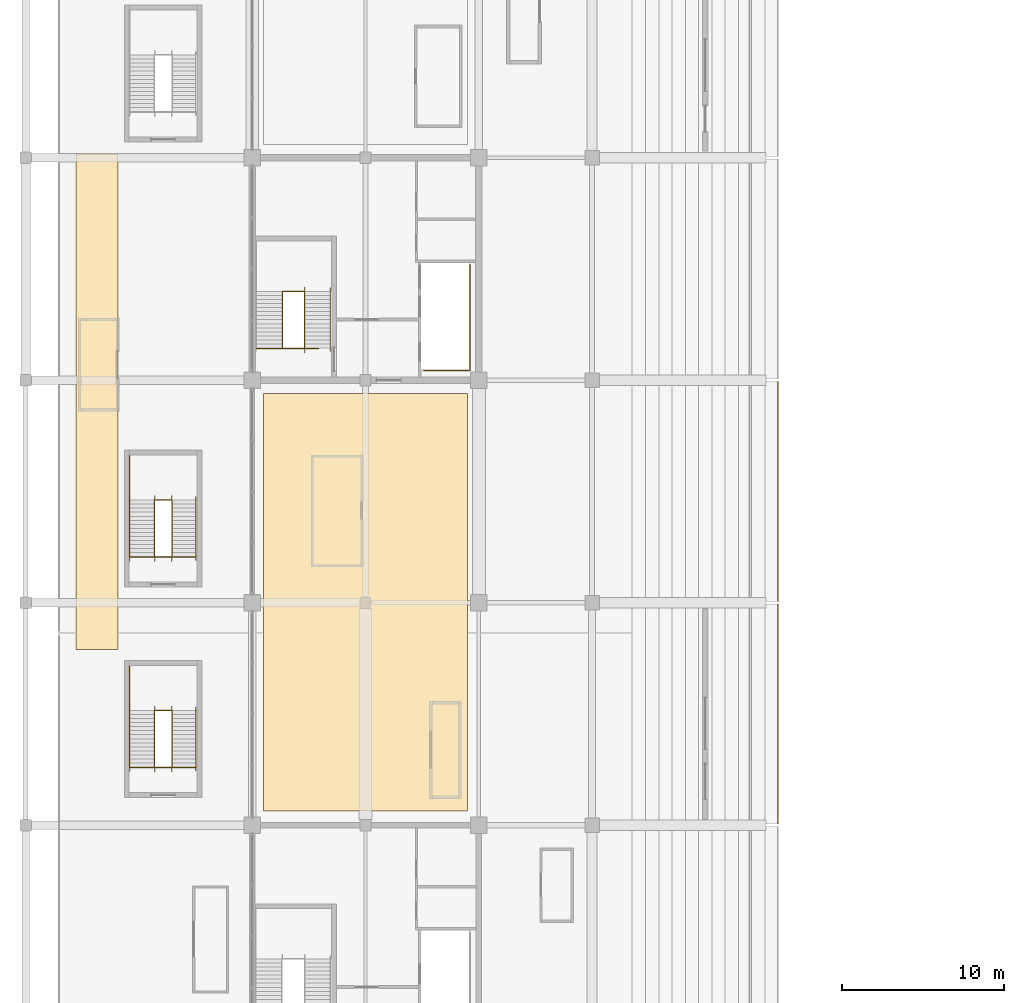
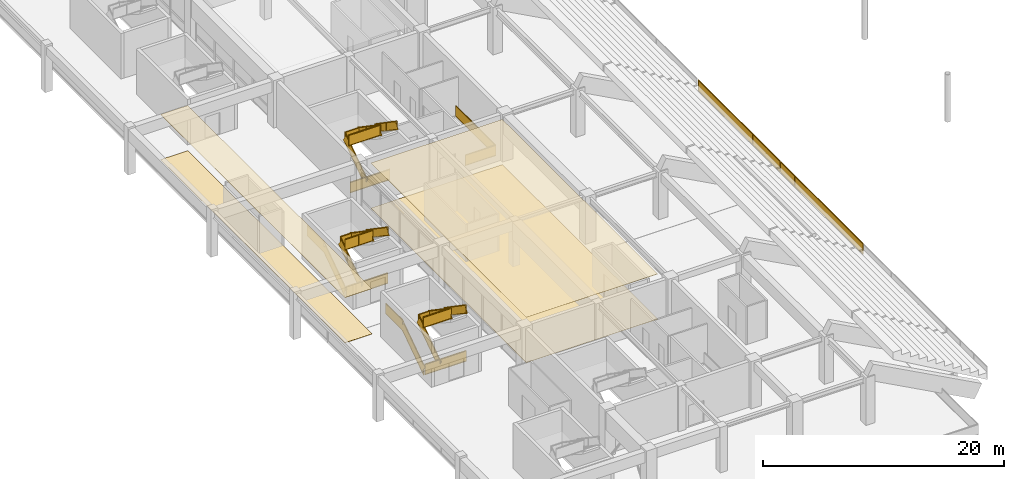
# One storey, part 83 of 94: 14 railings, 4 coverings.
"""IFC4 building model written with IfcOpenShell, lengths in metres."""

from ifc_helpers import new_model, si_unit, direction, frame, origin, origin_2d, place, context, subcontext, project, spatial, polyline, rectangle, outline, extrude, material, layer, layer_set, type_object, element, save


model = new_model("IFC4")

# Units and contexts
model_context = context("Model", 3, precision=1e-05, world=origin(), true_north=direction((0.0, 1.0)))
body_context = subcontext(model_context, "Body", "Model", "MODEL_VIEW")
ifc_project = project(units=[si_unit("LENGTHUNIT", "METRE"), si_unit("AREAUNIT", "SQUARE_METRE"), si_unit("VOLUMEUNIT", "CUBIC_METRE"), si_unit("PLANEANGLEUNIT", "RADIAN"), si_unit("MASSUNIT", "GRAM", prefix="KILO")], contexts=[model_context])

# Site, building, storey
site_placement = place(None, origin())
site = spatial("IfcSite", under=ifc_project, at=site_placement, CompositionType="ELEMENT")
building_placement = place(site_placement, origin())
building = spatial("IfcBuilding", under=site, at=building_placement, Name="Linyun Crest Stadium", CompositionType="ELEMENT")
storey_placement = place(building_placement, frame((0.0, 0.0, 16.199951171875)))
storey = spatial("IfcBuildingStorey", under=building, at=storey_placement, Name="L04", CompositionType="ELEMENT", Elevation=16.199951171875)

# Coverings
ifc_material_1 = material(Name="Perforated acoustic mineral-fibre ceiling")
ifc_layer_1 = layer(ifc_material_1, 0.02490234375)
ifc_layer_set_1 = layer_set([ifc_layer_1], Name="Perforated acoustic mineral-fibre ceiling")
covering_type_1 = type_object("IfcCoveringType", Name="CLG01", PredefinedType="CEILING", material=ifc_layer_set_1)
covering_1_placement = place(storey_placement, frame((0.0, 0.0, 4.574951171875)))
element("IfcCovering", 1, at=covering_1_placement, inside=storey, type_object=covering_type_1, Name="Suspended acoustic ceiling CLG01 40", PredefinedType="CEILING", context=body_context, shape_type="SweptSolid", body=[
    extrude(outline(polyline([(-83.300048828125, -24.5), (-70.699951171875, -24.5), (-70.699951171875, 1.300048828125), (-83.300048828125, 1.300048828125), (-83.300048828125, -24.5)])), origin(), (0.0, 0.0, 1.0), 0.025146484375),
])
ifc_material_2 = material(Name="Anodized aluminium baffle acoustic ceiling", Category="aluminium")
ifc_layer_2 = layer(ifc_material_2, 0.030029296875)
ifc_layer_set_2 = layer_set([ifc_layer_2], Name="Anodized aluminium baffle acoustic ceiling")
covering_type_2 = type_object("IfcCoveringType", Name="CLG02", PredefinedType="CEILING", material=ifc_layer_set_2)
covering_2_placement = place(storey_placement, frame((0.0, 0.0, 4.570068359375)))
element("IfcCovering", 2, at=covering_2_placement, inside=storey, type_object=covering_type_2, Name="Suspended acoustic ceiling CLG02 38", PredefinedType="CEILING", context=body_context, shape_type="SweptSolid", body=[
    extrude(outline(polyline([(-94.89990234375, -14.5), (-92.300048828125, -14.5), (-92.300048828125, 16.10009765625), (-94.89990234375, 16.10009765625), (-94.89990234375, -14.5)])), origin(), (0.0, 0.0, 1.0), 0.030029296875),
])
ifc_material_3 = material(Name="Terrazzo concourse and hospitality floor finish")
ifc_layer_3 = layer(ifc_material_3, 0.02197265625)
ifc_layer_set_3 = layer_set([ifc_layer_3], Name="Terrazzo concourse and hospitality floor finish")
covering_type_3 = type_object("IfcCoveringType", Name="FLR02", PredefinedType="FLOORING", material=ifc_layer_set_3)
covering_3_placement = place(storey_placement, origin())
element("IfcCovering", 3, at=covering_3_placement, inside=storey, type_object=covering_type_3, Name="Terrazzo flooring FLR02 37", PredefinedType="FLOORING", context=body_context, shape_type="SweptSolid", body=[
    extrude(outline(polyline([(-94.89990234375, -14.5), (-92.300048828125, -14.5), (-92.300048828125, 16.10009765625), (-94.89990234375, 16.10009765625), (-94.89990234375, -14.5)])), origin(), (0.0, 0.0, 1.0), 0.02197265625),
])
covering_4_placement = place(storey_placement, origin())
element("IfcCovering", 4, at=covering_4_placement, inside=storey, type_object=covering_type_3, Name="Terrazzo flooring FLR02 39", PredefinedType="FLOORING", context=body_context, shape_type="SweptSolid", body=[
    extrude(outline(polyline([(-83.300048828125, -24.5), (-70.699951171875, -24.5), (-70.699951171875, 1.300048828125), (-83.300048828125, 1.300048828125), (-83.300048828125, -24.5)])), origin(), (0.0, 0.0, 1.0), 0.02197265625),
])

# Railings
ifc_material_4 = material(Name="Galvanized and powder-coated steel bowl safety barrier", Category="steel")
railing_type_1 = type_object("IfcRailingType", Name="GR02", PredefinedType="GUARDRAIL", material=ifc_material_4)
for number, where, name in (
    (5, (-51.5, -25.294921875, 0.35009765625), "Bowl front safety guard GR02 19"),
    (6, (-51.5, -11.544921875, 0.35009765625), "Bowl front safety guard GR02 27"),
):
    element("IfcRailing", number, at=place(storey_placement, frame(where)), inside=storey, type_object=railing_type_1, Name=name, PredefinedType="GUARDRAIL", context=body_context, shape_type="SweptSolid", body=[
        extrude(rectangle(XDim=0.06005859375, YDim=0.06005859375, at=origin_2d()), frame((0.0, 0.0, 1.090087890625), z_axis=(0.0, 1.0, 0.0), x_axis=(-1.0, 0.0, 0.0)), (0.0, 0.0, 1.0), 13.58984375),
        extrude(rectangle(XDim=0.030029296875, YDim=1.0, at=origin_2d()), frame((0.0, 0.0, 0.56005859375), z_axis=(0.0, 1.0, 0.0), x_axis=(-1.0, 0.0, 0.0)), (0.0, 0.0, 1.0), 13.58984375),
        extrude(rectangle(XDim=0.06005859375, YDim=0.06005859375, at=origin_2d()), frame((0.0, 0.0, 0.030029296875), z_axis=(0.0, 1.0, 0.0), x_axis=(-1.0, 0.0, 0.0)), (0.0, 0.0, 1.0), 13.58984375),
        extrude(rectangle(XDim=0.050048828125, YDim=0.050048828125, at=origin_2d()), origin(), (0.0, 0.0, 1.0), 1.1201171875),
        extrude(rectangle(XDim=0.050048828125, YDim=0.050048828125, at=origin_2d()), frame((0.0, 2.264892578125, 0.0)), (0.0, 0.0, 1.0), 1.1201171875),
        extrude(rectangle(XDim=0.050048828125, YDim=0.050048828125, at=origin_2d()), frame((0.0, 4.530029296875, 0.0)), (0.0, 0.0, 1.0), 1.1201171875),
        extrude(rectangle(XDim=0.050048828125, YDim=0.050048828125, at=origin_2d()), frame((0.0, 6.794921875, 0.0)), (0.0, 0.0, 1.0), 1.1201171875),
        extrude(rectangle(XDim=0.050048828125, YDim=0.050048828125, at=origin_2d()), frame((0.0, 9.059814453125, 0.0)), (0.0, 0.0, 1.0), 1.1201171875),
        extrude(rectangle(XDim=0.050048828125, YDim=0.050048828125, at=origin_2d()), frame((0.0, 11.324951171875, 0.0)), (0.0, 0.0, 1.0), 1.1201171875),
        extrude(rectangle(XDim=0.050048828125, YDim=0.050048828125, at=origin_2d()), frame((0.0, 13.58984375, 0.0)), (0.0, 0.0, 1.0), 1.1201171875),
    ])
railing_1_placement = place(storey_placement, frame((-91.4599609375, -21.81005859375, 0.0)))
element("IfcRailing", 7, at=railing_1_placement, inside=storey, type_object=railing_type_1, Name="Slab edge balustrade GR02 57", PredefinedType="GUARDRAIL", context=body_context, shape_type="SweptSolid", body=[
    extrude(rectangle(XDim=0.06005859375, YDim=0.06005859375, at=origin_2d()), frame((0.0, 0.0, 1.090087890625), z_axis=(1.0, 0.0, 0.0), x_axis=(0.0, 1.0, 0.0)), (0.0, 0.0, 1.0), 3.919921875),
    extrude(rectangle(XDim=0.030029296875, YDim=1.0, at=origin_2d()), frame((0.0, 0.0, 0.56005859375), z_axis=(1.0, 0.0, 0.0), x_axis=(0.0, 1.0, 0.0)), (0.0, 0.0, 1.0), 3.919921875),
    extrude(rectangle(XDim=0.06005859375, YDim=0.06005859375, at=origin_2d()), frame((0.0, 0.0, 0.030029296875), z_axis=(1.0, 0.0, 0.0), x_axis=(0.0, 1.0, 0.0)), (0.0, 0.0, 1.0), 3.919921875),
    extrude(rectangle(XDim=0.050048828125, YDim=0.050048828125, at=origin_2d()), origin(), (0.0, 0.0, 1.0), 1.1201171875),
    extrude(rectangle(XDim=0.050048828125, YDim=0.050048828125, at=origin_2d()), frame((3.919921875, 0.0, 0.0)), (0.0, 0.0, 1.0), 1.1201171875),
])
railing_2_placement = place(storey_placement, frame((-73.419921875, 2.715087890625, 0.0)))
element("IfcRailing", 8, at=railing_2_placement, inside=storey, type_object=railing_type_1, Name="Slab edge balustrade GR02 59", PredefinedType="GUARDRAIL", context=body_context, shape_type="SweptSolid", body=[
    extrude(rectangle(XDim=0.06005859375, YDim=0.06005859375, at=origin_2d()), frame((0.0, 0.0, 1.090087890625), z_axis=(1.0, 0.0, 0.0), x_axis=(0.0, 1.0, 0.0)), (0.0, 0.0, 1.0), 2.8798828125),
    extrude(rectangle(XDim=0.030029296875, YDim=1.0, at=origin_2d()), frame((0.0, 0.0, 0.56005859375), z_axis=(1.0, 0.0, 0.0), x_axis=(0.0, 1.0, 0.0)), (0.0, 0.0, 1.0), 2.8798828125),
    extrude(rectangle(XDim=0.06005859375, YDim=0.06005859375, at=origin_2d()), frame((0.0, 0.0, 0.030029296875), z_axis=(1.0, 0.0, 0.0), x_axis=(0.0, 1.0, 0.0)), (0.0, 0.0, 1.0), 2.8798828125),
    extrude(rectangle(XDim=0.06005859375, YDim=0.06005859375, at=origin_2d()), frame((2.8798828125, 0.0, 1.090087890625), z_axis=(0.0, 1.0, 0.0), x_axis=(-1.0, 0.0, 0.0)), (0.0, 0.0, 1.0), 6.5498046875),
    extrude(rectangle(XDim=0.030029296875, YDim=1.0, at=origin_2d()), frame((2.8798828125, 0.0, 0.56005859375), z_axis=(0.0, 1.0, 0.0), x_axis=(-1.0, 0.0, 0.0)), (0.0, 0.0, 1.0), 6.5498046875),
    extrude(rectangle(XDim=0.06005859375, YDim=0.06005859375, at=origin_2d()), frame((2.8798828125, 0.0, 0.030029296875), z_axis=(0.0, 1.0, 0.0), x_axis=(-1.0, 0.0, 0.0)), (0.0, 0.0, 1.0), 6.5498046875),
    extrude(rectangle(XDim=0.050048828125, YDim=0.050048828125, at=origin_2d()), origin(), (0.0, 0.0, 1.0), 1.1201171875),
    extrude(rectangle(XDim=0.050048828125, YDim=0.050048828125, at=origin_2d()), frame((2.8798828125, 0.0, 0.0)), (0.0, 0.0, 1.0), 1.1201171875),
    extrude(rectangle(XDim=0.050048828125, YDim=0.050048828125, at=origin_2d()), frame((2.8798828125, 3.27490234375, 0.0)), (0.0, 0.0, 1.0), 1.1201171875),
    extrude(rectangle(XDim=0.050048828125, YDim=0.050048828125, at=origin_2d()), frame((2.8798828125, 6.5498046875, 0.0)), (0.0, 0.0, 1.0), 1.1201171875),
])
railing_3_placement = place(storey_placement, frame((-83.659912109375, 4.0849609375, 0.0)))
element("IfcRailing", 9, at=railing_3_placement, inside=storey, type_object=railing_type_1, Name="Slab edge balustrade GR02 61", PredefinedType="GUARDRAIL", context=body_context, shape_type="SweptSolid", body=[
    extrude(rectangle(XDim=0.06005859375, YDim=0.06005859375, at=origin_2d()), frame((0.0, 0.0, 1.090087890625), z_axis=(1.0, 0.0, 0.0), x_axis=(0.0, 1.0, 0.0)), (0.0, 0.0, 1.0), 3.760009765625),
    extrude(rectangle(XDim=0.030029296875, YDim=1.0, at=origin_2d()), frame((0.0, 0.0, 0.56005859375), z_axis=(1.0, 0.0, 0.0), x_axis=(0.0, 1.0, 0.0)), (0.0, 0.0, 1.0), 3.760009765625),
    extrude(rectangle(XDim=0.06005859375, YDim=0.06005859375, at=origin_2d()), frame((0.0, 0.0, 0.030029296875), z_axis=(1.0, 0.0, 0.0), x_axis=(0.0, 1.0, 0.0)), (0.0, 0.0, 1.0), 3.760009765625),
    extrude(rectangle(XDim=0.050048828125, YDim=0.050048828125, at=origin_2d()), origin(), (0.0, 0.0, 1.0), 1.1201171875),
    extrude(rectangle(XDim=0.050048828125, YDim=0.050048828125, at=origin_2d()), frame((3.760009765625, 0.0, 0.0)), (0.0, 0.0, 1.0), 1.1201171875),
])
railing_4_placement = place(storey_placement, frame((-91.4599609375, -8.81005859375, 0.0)))
element("IfcRailing", 10, at=railing_4_placement, inside=storey, type_object=railing_type_1, Name="Slab edge balustrade GR02 63", PredefinedType="GUARDRAIL", context=body_context, shape_type="SweptSolid", body=[
    extrude(rectangle(XDim=0.06005859375, YDim=0.06005859375, at=origin_2d()), frame((0.0, 0.0, 1.090087890625), z_axis=(1.0, 0.0, 0.0), x_axis=(0.0, 1.0, 0.0)), (0.0, 0.0, 1.0), 3.919921875),
    extrude(rectangle(XDim=0.030029296875, YDim=1.0, at=origin_2d()), frame((0.0, 0.0, 0.56005859375), z_axis=(1.0, 0.0, 0.0), x_axis=(0.0, 1.0, 0.0)), (0.0, 0.0, 1.0), 3.919921875),
    extrude(rectangle(XDim=0.06005859375, YDim=0.06005859375, at=origin_2d()), frame((0.0, 0.0, 0.030029296875), z_axis=(1.0, 0.0, 0.0), x_axis=(0.0, 1.0, 0.0)), (0.0, 0.0, 1.0), 3.919921875),
    extrude(rectangle(XDim=0.050048828125, YDim=0.050048828125, at=origin_2d()), origin(), (0.0, 0.0, 1.0), 1.1201171875),
    extrude(rectangle(XDim=0.050048828125, YDim=0.050048828125, at=origin_2d()), frame((3.919921875, 0.0, 0.0)), (0.0, 0.0, 1.0), 1.1201171875),
])
ifc_material_5 = material(Name="Painted steel stairwell safety guard", Category="steel")
railing_type_2 = type_object("IfcRailingType", Name="GR03", PredefinedType="GUARDRAIL", material=ifc_material_5)
railing_5_placement = place(storey_placement, frame((-82.1298828125, 4.094970703125, 0.0)))
element("IfcRailing", 11, at=railing_5_placement, inside=storey, type_object=railing_type_2, Name="STR-02-L04 inner well guard", PredefinedType="GUARDRAIL", context=body_context, shape_type="SweptSolid", body=[
    extrude(rectangle(XDim=0.06005859375, YDim=0.06005859375, at=origin_2d()), frame((0.0, 0.0, 1.090087890625), z_axis=(0.0, 0.826212794201, 0.563358162005), x_axis=(-1.0, 0.0, 0.0)), (0.0, 0.0, 1.0), 4.260498046875),
    extrude(rectangle(XDim=0.030029296875, YDim=1.0, at=origin_2d()), frame((0.0, 0.0, 0.56005859375), z_axis=(0.0, 0.826212794201, 0.563358162005), x_axis=(-1.0, 0.0, 0.0)), (0.0, 0.0, 1.0), 4.260498046875),
    extrude(rectangle(XDim=0.06005859375, YDim=0.06005859375, at=origin_2d()), frame((0.0, 0.0, 0.030029296875), z_axis=(0.0, 0.826212794201, 0.563358162005), x_axis=(-1.0, 0.0, 0.0)), (0.0, 0.0, 1.0), 4.260498046875),
    extrude(rectangle(XDim=0.06005859375, YDim=0.06005859375, at=origin_2d()), frame((0.0, 3.52001953125, 3.490234375), z_axis=(1.0, 0.0, 0.0), x_axis=(0.0, 1.0, 0.0)), (0.0, 0.0, 1.0), 1.35986328125),
    extrude(rectangle(XDim=0.030029296875, YDim=1.0, at=origin_2d()), frame((0.0, 3.52001953125, 2.960205078125), z_axis=(1.0, 0.0, 0.0), x_axis=(0.0, 1.0, 0.0)), (0.0, 0.0, 1.0), 1.35986328125),
    extrude(rectangle(XDim=0.06005859375, YDim=0.06005859375, at=origin_2d()), frame((0.0, 3.52001953125, 2.43017578125), z_axis=(1.0, 0.0, 0.0), x_axis=(0.0, 1.0, 0.0)), (0.0, 0.0, 1.0), 1.35986328125),
    extrude(rectangle(XDim=0.06005859375, YDim=0.06005859375, at=origin_2d()), frame((1.35986328125, 3.52001953125, 3.490234375), z_axis=(0.0, -0.826239466617, 0.563319042644), x_axis=(1.0, 0.0, 0.0)), (0.0, 0.0, 1.0), 4.26025390625),
    extrude(rectangle(XDim=0.030029296875, YDim=1.0, at=origin_2d()), frame((1.35986328125, 3.52001953125, 2.960205078125), z_axis=(0.0, -0.826239466617, 0.563319042644), x_axis=(1.0, 0.0, 0.0)), (0.0, 0.0, 1.0), 4.26025390625),
    extrude(rectangle(XDim=0.06005859375, YDim=0.06005859375, at=origin_2d()), frame((1.35986328125, 3.52001953125, 2.43017578125), z_axis=(0.0, -0.826239466617, 0.563319042644), x_axis=(1.0, 0.0, 0.0)), (0.0, 0.0, 1.0), 4.26025390625),
    extrude(rectangle(XDim=0.06005859375, YDim=0.06005859375, at=origin_2d()), frame((1.35986328125, 0.0, 5.89013671875), z_axis=(-1.0, 0.0, 0.0), x_axis=(0.0, -1.0, 0.0)), (0.0, 0.0, 1.0), 3.010009765625),
    extrude(rectangle(XDim=0.030029296875, YDim=1.0, at=origin_2d()), frame((1.35986328125, 0.0, 5.360107421875), z_axis=(-1.0, 0.0, 0.0), x_axis=(0.0, -1.0, 0.0)), (0.0, 0.0, 1.0), 3.010009765625),
    extrude(rectangle(XDim=0.06005859375, YDim=0.06005859375, at=origin_2d()), frame((1.35986328125, 0.0, 4.830078125), z_axis=(-1.0, 0.0, 0.0), x_axis=(0.0, -1.0, 0.0)), (0.0, 0.0, 1.0), 3.010009765625),
    extrude(rectangle(XDim=0.050048828125, YDim=0.050048828125, at=origin_2d()), origin(), (0.0, 0.0, 1.0), 1.1201171875),
    extrude(rectangle(XDim=0.050048828125, YDim=0.050048828125, at=origin_2d()), frame((0.0, 1.17333984375, 0.800048828125)), (0.0, 0.0, 1.0), 1.1201171875),
    extrude(rectangle(XDim=0.050048828125, YDim=0.050048828125, at=origin_2d()), frame((0.0, 2.3466796875, 1.60009765625)), (0.0, 0.0, 1.0), 1.1201171875),
    extrude(rectangle(XDim=0.050048828125, YDim=0.050048828125, at=origin_2d()), frame((0.0, 3.52001953125, 2.400146484375)), (0.0, 0.0, 1.0), 1.1201171875),
    extrude(rectangle(XDim=0.050048828125, YDim=0.050048828125, at=origin_2d()), frame((1.35986328125, 3.52001953125, 2.400146484375)), (0.0, 0.0, 1.0), 1.1201171875),
    extrude(rectangle(XDim=0.050048828125, YDim=0.050048828125, at=origin_2d()), frame((1.35986328125, 2.3466796875, 3.2001953125)), (0.0, 0.0, 1.0), 1.1201171875),
    extrude(rectangle(XDim=0.050048828125, YDim=0.050048828125, at=origin_2d()), frame((1.35986328125, 1.17333984375, 4.0)), (0.0, 0.0, 1.0), 1.1201171875),
    extrude(rectangle(XDim=0.050048828125, YDim=0.050048828125, at=origin_2d()), frame((1.35986328125, 0.0, 4.800048828125)), (0.0, 0.0, 1.0), 1.1201171875),
    extrude(rectangle(XDim=0.050048828125, YDim=0.050048828125, at=origin_2d()), frame((-0.14501953125, 0.0, 4.800048828125)), (0.0, 0.0, 1.0), 1.1201171875),
    extrude(rectangle(XDim=0.050048828125, YDim=0.050048828125, at=origin_2d()), frame((-1.650146484375, 0.0, 4.800048828125)), (0.0, 0.0, 1.0), 1.1201171875),
])
railing_6_placement = place(storey_placement, frame((-91.570068359375, -21.780029296875, 0.0)))
element("IfcRailing", 12, at=railing_6_placement, inside=storey, type_object=railing_type_2, Name="STR-14-L04 outer guard", PredefinedType="GUARDRAIL", context=body_context, shape_type="SweptSolid", body=[
    extrude(rectangle(XDim=0.06005859375, YDim=0.06005859375, at=origin_2d()), frame((0.0, 0.0, 1.090087890625), z_axis=(0.0, 0.824712752785, 0.565551832633), x_axis=(-1.0, 0.0, 0.0)), (0.0, 0.0, 1.0), 4.243896484375),
    extrude(rectangle(XDim=0.030029296875, YDim=1.0, at=origin_2d()), frame((0.0, 0.0, 0.56005859375), z_axis=(0.0, 0.824712752785, 0.565551832633), x_axis=(-1.0, 0.0, 0.0)), (0.0, 0.0, 1.0), 4.243896484375),
    extrude(rectangle(XDim=0.06005859375, YDim=0.06005859375, at=origin_2d()), frame((0.0, 0.0, 0.030029296875), z_axis=(0.0, 0.824712752785, 0.565551832633), x_axis=(-1.0, 0.0, 0.0)), (0.0, 0.0, 1.0), 4.243896484375),
    extrude(rectangle(XDim=0.06005859375, YDim=0.06005859375, at=origin_2d()), frame((0.0, 3.5, 3.490234375), z_axis=(0.0, 1.0, 0.0), x_axis=(-1.0, 0.0, 0.0)), (0.0, 0.0, 1.0), 2.75),
    extrude(rectangle(XDim=0.030029296875, YDim=1.0, at=origin_2d()), frame((0.0, 3.5, 2.960205078125), z_axis=(0.0, 1.0, 0.0), x_axis=(-1.0, 0.0, 0.0)), (0.0, 0.0, 1.0), 2.75),
    extrude(rectangle(XDim=0.06005859375, YDim=0.06005859375, at=origin_2d()), frame((0.0, 3.5, 2.43017578125), z_axis=(0.0, 1.0, 0.0), x_axis=(-1.0, 0.0, 0.0)), (0.0, 0.0, 1.0), 2.75),
    extrude(rectangle(XDim=0.050048828125, YDim=0.050048828125, at=origin_2d()), origin(), (0.0, 0.0, 1.0), 1.1201171875),
    extrude(rectangle(XDim=0.050048828125, YDim=0.050048828125, at=origin_2d()), frame((0.0, 1.166748046875, 0.800048828125)), (0.0, 0.0, 1.0), 1.1201171875),
    extrude(rectangle(XDim=0.050048828125, YDim=0.050048828125, at=origin_2d()), frame((0.0, 2.333251953125, 1.60009765625)), (0.0, 0.0, 1.0), 1.1201171875),
    extrude(rectangle(XDim=0.050048828125, YDim=0.050048828125, at=origin_2d()), frame((0.0, 3.5, 2.400146484375)), (0.0, 0.0, 1.0), 1.1201171875),
    extrude(rectangle(XDim=0.050048828125, YDim=0.050048828125, at=origin_2d()), frame((0.0, 4.875, 2.400146484375)), (0.0, 0.0, 1.0), 1.1201171875),
    extrude(rectangle(XDim=0.050048828125, YDim=0.050048828125, at=origin_2d()), frame((0.0, 6.25, 2.400146484375)), (0.0, 0.0, 1.0), 1.1201171875),
])
railing_7_placement = place(storey_placement, frame((-90.030029296875, -21.800048828125, 0.0)))
element("IfcRailing", 13, at=railing_7_placement, inside=storey, type_object=railing_type_2, Name="STR-14-L04 inner well guard", PredefinedType="GUARDRAIL", context=body_context, shape_type="SweptSolid", body=[
    extrude(rectangle(XDim=0.06005859375, YDim=0.06005859375, at=origin_2d()), frame((0.0, 0.0, 1.090087890625), z_axis=(0.0, 0.826212794201, 0.563358162005), x_axis=(-1.0, 0.0, 0.0)), (0.0, 0.0, 1.0), 4.260498046875),
    extrude(rectangle(XDim=0.030029296875, YDim=1.0, at=origin_2d()), frame((0.0, 0.0, 0.56005859375), z_axis=(0.0, 0.826212794201, 0.563358162005), x_axis=(-1.0, 0.0, 0.0)), (0.0, 0.0, 1.0), 4.260498046875),
    extrude(rectangle(XDim=0.06005859375, YDim=0.06005859375, at=origin_2d()), frame((0.0, 0.0, 0.030029296875), z_axis=(0.0, 0.826212794201, 0.563358162005), x_axis=(-1.0, 0.0, 0.0)), (0.0, 0.0, 1.0), 4.260498046875),
    extrude(rectangle(XDim=0.06005859375, YDim=0.06005859375, at=origin_2d()), frame((0.0, 3.52001953125, 3.490234375), z_axis=(1.0, 0.0, 0.0), x_axis=(0.0, 1.0, 0.0)), (0.0, 0.0, 1.0), 1.06005859375),
    extrude(rectangle(XDim=0.030029296875, YDim=1.0, at=origin_2d()), frame((0.0, 3.52001953125, 2.960205078125), z_axis=(1.0, 0.0, 0.0), x_axis=(0.0, 1.0, 0.0)), (0.0, 0.0, 1.0), 1.06005859375),
    extrude(rectangle(XDim=0.06005859375, YDim=0.06005859375, at=origin_2d()), frame((0.0, 3.52001953125, 2.43017578125), z_axis=(1.0, 0.0, 0.0), x_axis=(0.0, 1.0, 0.0)), (0.0, 0.0, 1.0), 1.06005859375),
    extrude(rectangle(XDim=0.06005859375, YDim=0.06005859375, at=origin_2d()), frame((1.06005859375, 3.52001953125, 3.490234375), z_axis=(0.0, -0.826239466617, 0.563319042644), x_axis=(1.0, 0.0, 0.0)), (0.0, 0.0, 1.0), 4.26025390625),
    extrude(rectangle(XDim=0.030029296875, YDim=1.0, at=origin_2d()), frame((1.06005859375, 3.52001953125, 2.960205078125), z_axis=(0.0, -0.826239466617, 0.563319042644), x_axis=(1.0, 0.0, 0.0)), (0.0, 0.0, 1.0), 4.26025390625),
    extrude(rectangle(XDim=0.06005859375, YDim=0.06005859375, at=origin_2d()), frame((1.06005859375, 3.52001953125, 2.43017578125), z_axis=(0.0, -0.826239466617, 0.563319042644), x_axis=(1.0, 0.0, 0.0)), (0.0, 0.0, 1.0), 4.26025390625),
    extrude(rectangle(XDim=0.06005859375, YDim=0.06005859375, at=origin_2d()), frame((1.06005859375, 0.0, 5.89013671875), z_axis=(-1.0, 0.0, 0.0), x_axis=(0.0, -1.0, 0.0)), (0.0, 0.0, 1.0), 2.610107421875),
    extrude(rectangle(XDim=0.030029296875, YDim=1.0, at=origin_2d()), frame((1.06005859375, 0.0, 5.360107421875), z_axis=(-1.0, 0.0, 0.0), x_axis=(0.0, -1.0, 0.0)), (0.0, 0.0, 1.0), 2.610107421875),
    extrude(rectangle(XDim=0.06005859375, YDim=0.06005859375, at=origin_2d()), frame((1.06005859375, 0.0, 4.830078125), z_axis=(-1.0, 0.0, 0.0), x_axis=(0.0, -1.0, 0.0)), (0.0, 0.0, 1.0), 2.610107421875),
    extrude(rectangle(XDim=0.050048828125, YDim=0.050048828125, at=origin_2d()), origin(), (0.0, 0.0, 1.0), 1.1201171875),
    extrude(rectangle(XDim=0.050048828125, YDim=0.050048828125, at=origin_2d()), frame((0.0, 1.17333984375, 0.800048828125)), (0.0, 0.0, 1.0), 1.1201171875),
    extrude(rectangle(XDim=0.050048828125, YDim=0.050048828125, at=origin_2d()), frame((0.0, 2.3466796875, 1.60009765625)), (0.0, 0.0, 1.0), 1.1201171875),
    extrude(rectangle(XDim=0.050048828125, YDim=0.050048828125, at=origin_2d()), frame((0.0, 3.52001953125, 2.400146484375)), (0.0, 0.0, 1.0), 1.1201171875),
    extrude(rectangle(XDim=0.050048828125, YDim=0.050048828125, at=origin_2d()), frame((1.06005859375, 3.52001953125, 2.400146484375)), (0.0, 0.0, 1.0), 1.1201171875),
    extrude(rectangle(XDim=0.050048828125, YDim=0.050048828125, at=origin_2d()), frame((1.06005859375, 2.3466796875, 3.2001953125)), (0.0, 0.0, 1.0), 1.1201171875),
    extrude(rectangle(XDim=0.050048828125, YDim=0.050048828125, at=origin_2d()), frame((1.06005859375, 1.17333984375, 4.0)), (0.0, 0.0, 1.0), 1.1201171875),
    extrude(rectangle(XDim=0.050048828125, YDim=0.050048828125, at=origin_2d()), frame((1.06005859375, 0.0, 4.800048828125)), (0.0, 0.0, 1.0), 1.1201171875),
    extrude(rectangle(XDim=0.050048828125, YDim=0.050048828125, at=origin_2d()), frame((-0.2451171875, 0.0, 4.800048828125)), (0.0, 0.0, 1.0), 1.1201171875),
    extrude(rectangle(XDim=0.050048828125, YDim=0.050048828125, at=origin_2d()), frame((-1.550048828125, 0.0, 4.800048828125)), (0.0, 0.0, 1.0), 1.1201171875),
])
railing_8_placement = place(storey_placement, frame((-91.570068359375, -8.780029296875, 0.0)))
element("IfcRailing", 14, at=railing_8_placement, inside=storey, type_object=railing_type_2, Name="STR-15-L04 outer guard", PredefinedType="GUARDRAIL", context=body_context, shape_type="SweptSolid", body=[
    extrude(rectangle(XDim=0.06005859375, YDim=0.06005859375, at=origin_2d()), frame((0.0, 0.0, 1.090087890625), z_axis=(0.0, 0.824712752785, 0.565551832633), x_axis=(-1.0, 0.0, 0.0)), (0.0, 0.0, 1.0), 4.243896484375),
    extrude(rectangle(XDim=0.030029296875, YDim=1.0, at=origin_2d()), frame((0.0, 0.0, 0.56005859375), z_axis=(0.0, 0.824712752785, 0.565551832633), x_axis=(-1.0, 0.0, 0.0)), (0.0, 0.0, 1.0), 4.243896484375),
    extrude(rectangle(XDim=0.06005859375, YDim=0.06005859375, at=origin_2d()), frame((0.0, 0.0, 0.030029296875), z_axis=(0.0, 0.824712752785, 0.565551832633), x_axis=(-1.0, 0.0, 0.0)), (0.0, 0.0, 1.0), 4.243896484375),
    extrude(rectangle(XDim=0.06005859375, YDim=0.06005859375, at=origin_2d()), frame((0.0, 3.5, 3.490234375), z_axis=(0.0, 1.0, 0.0), x_axis=(-1.0, 0.0, 0.0)), (0.0, 0.0, 1.0), 2.75),
    extrude(rectangle(XDim=0.030029296875, YDim=1.0, at=origin_2d()), frame((0.0, 3.5, 2.960205078125), z_axis=(0.0, 1.0, 0.0), x_axis=(-1.0, 0.0, 0.0)), (0.0, 0.0, 1.0), 2.75),
    extrude(rectangle(XDim=0.06005859375, YDim=0.06005859375, at=origin_2d()), frame((0.0, 3.5, 2.43017578125), z_axis=(0.0, 1.0, 0.0), x_axis=(-1.0, 0.0, 0.0)), (0.0, 0.0, 1.0), 2.75),
    extrude(rectangle(XDim=0.050048828125, YDim=0.050048828125, at=origin_2d()), origin(), (0.0, 0.0, 1.0), 1.1201171875),
    extrude(rectangle(XDim=0.050048828125, YDim=0.050048828125, at=origin_2d()), frame((0.0, 1.166748046875, 0.800048828125)), (0.0, 0.0, 1.0), 1.1201171875),
    extrude(rectangle(XDim=0.050048828125, YDim=0.050048828125, at=origin_2d()), frame((0.0, 2.333251953125, 1.60009765625)), (0.0, 0.0, 1.0), 1.1201171875),
    extrude(rectangle(XDim=0.050048828125, YDim=0.050048828125, at=origin_2d()), frame((0.0, 3.5, 2.400146484375)), (0.0, 0.0, 1.0), 1.1201171875),
    extrude(rectangle(XDim=0.050048828125, YDim=0.050048828125, at=origin_2d()), frame((0.0, 4.875, 2.400146484375)), (0.0, 0.0, 1.0), 1.1201171875),
    extrude(rectangle(XDim=0.050048828125, YDim=0.050048828125, at=origin_2d()), frame((0.0, 6.25, 2.400146484375)), (0.0, 0.0, 1.0), 1.1201171875),
])
railing_9_placement = place(storey_placement, frame((-90.030029296875, -8.800048828125, 0.0)))
element("IfcRailing", 15, at=railing_9_placement, inside=storey, type_object=railing_type_2, Name="STR-15-L04 inner well guard", PredefinedType="GUARDRAIL", context=body_context, shape_type="SweptSolid", body=[
    extrude(rectangle(XDim=0.06005859375, YDim=0.06005859375, at=origin_2d()), frame((0.0, 0.0, 1.090087890625), z_axis=(0.0, 0.826212794201, 0.563358162005), x_axis=(-1.0, 0.0, 0.0)), (0.0, 0.0, 1.0), 4.260498046875),
    extrude(rectangle(XDim=0.030029296875, YDim=1.0, at=origin_2d()), frame((0.0, 0.0, 0.56005859375), z_axis=(0.0, 0.826212794201, 0.563358162005), x_axis=(-1.0, 0.0, 0.0)), (0.0, 0.0, 1.0), 4.260498046875),
    extrude(rectangle(XDim=0.06005859375, YDim=0.06005859375, at=origin_2d()), frame((0.0, 0.0, 0.030029296875), z_axis=(0.0, 0.826212794201, 0.563358162005), x_axis=(-1.0, 0.0, 0.0)), (0.0, 0.0, 1.0), 4.260498046875),
    extrude(rectangle(XDim=0.06005859375, YDim=0.06005859375, at=origin_2d()), frame((0.0, 3.52001953125, 3.490234375), z_axis=(1.0, 0.0, 0.0), x_axis=(0.0, 1.0, 0.0)), (0.0, 0.0, 1.0), 1.06005859375),
    extrude(rectangle(XDim=0.030029296875, YDim=1.0, at=origin_2d()), frame((0.0, 3.52001953125, 2.960205078125), z_axis=(1.0, 0.0, 0.0), x_axis=(0.0, 1.0, 0.0)), (0.0, 0.0, 1.0), 1.06005859375),
    extrude(rectangle(XDim=0.06005859375, YDim=0.06005859375, at=origin_2d()), frame((0.0, 3.52001953125, 2.43017578125), z_axis=(1.0, 0.0, 0.0), x_axis=(0.0, 1.0, 0.0)), (0.0, 0.0, 1.0), 1.06005859375),
    extrude(rectangle(XDim=0.06005859375, YDim=0.06005859375, at=origin_2d()), frame((1.06005859375, 3.52001953125, 3.490234375), z_axis=(0.0, -0.826239466617, 0.563319042644), x_axis=(1.0, 0.0, 0.0)), (0.0, 0.0, 1.0), 4.26025390625),
    extrude(rectangle(XDim=0.030029296875, YDim=1.0, at=origin_2d()), frame((1.06005859375, 3.52001953125, 2.960205078125), z_axis=(0.0, -0.826239466617, 0.563319042644), x_axis=(1.0, 0.0, 0.0)), (0.0, 0.0, 1.0), 4.26025390625),
    extrude(rectangle(XDim=0.06005859375, YDim=0.06005859375, at=origin_2d()), frame((1.06005859375, 3.52001953125, 2.43017578125), z_axis=(0.0, -0.826239466617, 0.563319042644), x_axis=(1.0, 0.0, 0.0)), (0.0, 0.0, 1.0), 4.26025390625),
    extrude(rectangle(XDim=0.06005859375, YDim=0.06005859375, at=origin_2d()), frame((1.06005859375, 0.0, 5.89013671875), z_axis=(-1.0, 0.0, 0.0), x_axis=(0.0, -1.0, 0.0)), (0.0, 0.0, 1.0), 2.610107421875),
    extrude(rectangle(XDim=0.030029296875, YDim=1.0, at=origin_2d()), frame((1.06005859375, 0.0, 5.360107421875), z_axis=(-1.0, 0.0, 0.0), x_axis=(0.0, -1.0, 0.0)), (0.0, 0.0, 1.0), 2.610107421875),
    extrude(rectangle(XDim=0.06005859375, YDim=0.06005859375, at=origin_2d()), frame((1.06005859375, 0.0, 4.830078125), z_axis=(-1.0, 0.0, 0.0), x_axis=(0.0, -1.0, 0.0)), (0.0, 0.0, 1.0), 2.610107421875),
    extrude(rectangle(XDim=0.050048828125, YDim=0.050048828125, at=origin_2d()), origin(), (0.0, 0.0, 1.0), 1.1201171875),
    extrude(rectangle(XDim=0.050048828125, YDim=0.050048828125, at=origin_2d()), frame((0.0, 1.17333984375, 0.800048828125)), (0.0, 0.0, 1.0), 1.1201171875),
    extrude(rectangle(XDim=0.050048828125, YDim=0.050048828125, at=origin_2d()), frame((0.0, 2.3466796875, 1.60009765625)), (0.0, 0.0, 1.0), 1.1201171875),
    extrude(rectangle(XDim=0.050048828125, YDim=0.050048828125, at=origin_2d()), frame((0.0, 3.52001953125, 2.400146484375)), (0.0, 0.0, 1.0), 1.1201171875),
    extrude(rectangle(XDim=0.050048828125, YDim=0.050048828125, at=origin_2d()), frame((1.06005859375, 3.52001953125, 2.400146484375)), (0.0, 0.0, 1.0), 1.1201171875),
    extrude(rectangle(XDim=0.050048828125, YDim=0.050048828125, at=origin_2d()), frame((1.06005859375, 2.3466796875, 3.2001953125)), (0.0, 0.0, 1.0), 1.1201171875),
    extrude(rectangle(XDim=0.050048828125, YDim=0.050048828125, at=origin_2d()), frame((1.06005859375, 1.17333984375, 4.0)), (0.0, 0.0, 1.0), 1.1201171875),
    extrude(rectangle(XDim=0.050048828125, YDim=0.050048828125, at=origin_2d()), frame((1.06005859375, 0.0, 4.800048828125)), (0.0, 0.0, 1.0), 1.1201171875),
    extrude(rectangle(XDim=0.050048828125, YDim=0.050048828125, at=origin_2d()), frame((-0.2451171875, 0.0, 4.800048828125)), (0.0, 0.0, 1.0), 1.1201171875),
    extrude(rectangle(XDim=0.050048828125, YDim=0.050048828125, at=origin_2d()), frame((-1.550048828125, 0.0, 4.800048828125)), (0.0, 0.0, 1.0), 1.1201171875),
])
ifc_material_6 = material(Name="Brushed stainless steel tubular handrail", Category="steel")
railing_type_3 = type_object("IfcRailingType", Name="HR01", PredefinedType="HANDRAIL", material=ifc_material_6)
for number, where, name in (
    (16, (-79.179931640625, 7.614990234375, 2.400146484375), "STR-02-L04 handrail"),
    (17, (-87.47998046875, -18.280029296875, 2.400146484375), "STR-14-L04 handrail"),
    (18, (-87.47998046875, -5.280029296875, 2.400146484375), "STR-15-L04 handrail"),
):
    element("IfcRailing", number, at=place(storey_placement, frame(where)), inside=storey, type_object=railing_type_3, Name=name, PredefinedType="HANDRAIL", context=body_context, shape_type="SweptSolid", body=[
        extrude(rectangle(XDim=0.06005859375, YDim=0.06005859375, at=origin_2d()), frame((0.0, 0.0, 0.889892578125), z_axis=(0.0, -0.824739584531, 0.5655127034), x_axis=(1.0, 0.0, 0.0)), (0.0, 0.0, 1.0), 4.24365234375),
        extrude(rectangle(XDim=0.030029296875, YDim=0.7998046875, at=origin_2d()), frame((0.0, 0.0, 0.4599609375), z_axis=(0.0, -0.824739584531, 0.5655127034), x_axis=(1.0, 0.0, 0.0)), (0.0, 0.0, 1.0), 4.24365234375),
        extrude(rectangle(XDim=0.06005859375, YDim=0.06005859375, at=origin_2d()), frame((0.0, 0.0, 0.030029296875), z_axis=(0.0, -0.824739584531, 0.5655127034), x_axis=(1.0, 0.0, 0.0)), (0.0, 0.0, 1.0), 4.24365234375),
        extrude(rectangle(XDim=0.050048828125, YDim=0.050048828125, at=origin_2d()), origin(), (0.0, 0.0, 1.0), 0.919921875),
        extrude(rectangle(XDim=0.050048828125, YDim=0.050048828125, at=origin_2d()), frame((0.0, -1.75, 1.199951171875)), (0.0, 0.0, 1.0), 0.919921875),
        extrude(rectangle(XDim=0.050048828125, YDim=0.050048828125, at=origin_2d()), frame((0.0, -3.5, 2.39990234375)), (0.0, 0.0, 1.0), 0.919921875),
    ])

save(model, "model.ifc")
